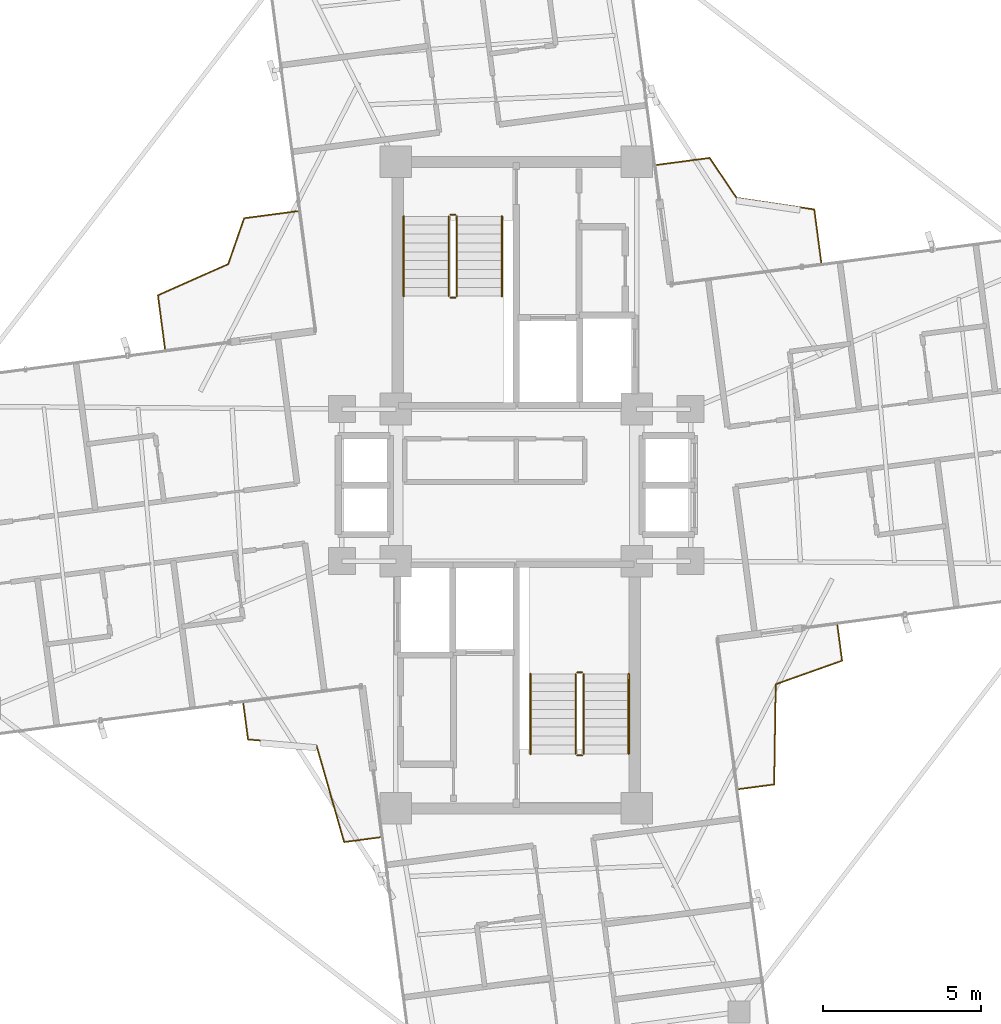
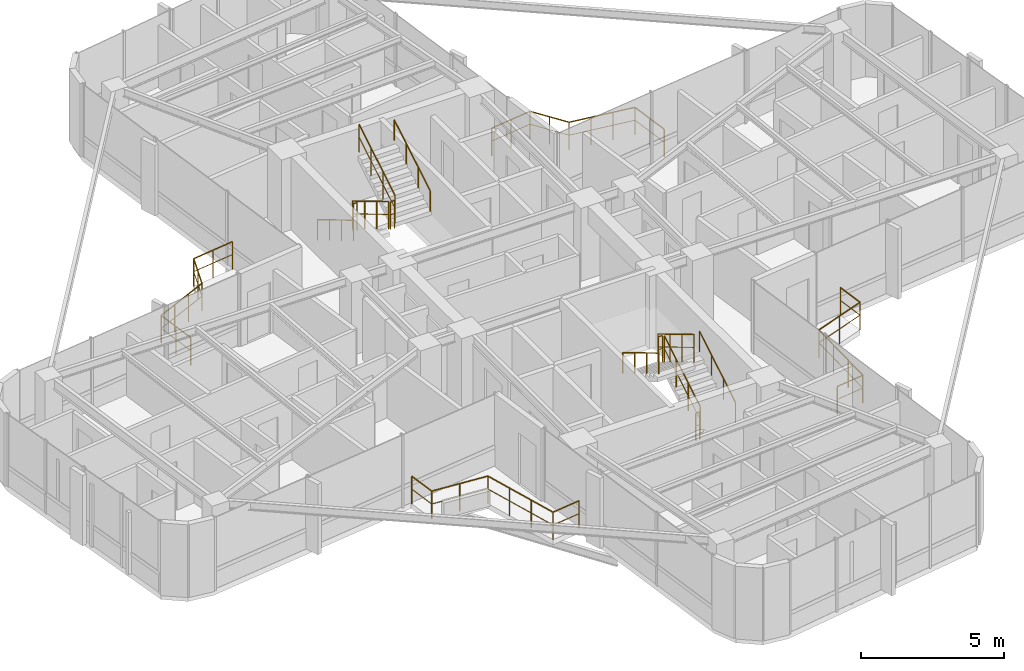
# One storey, part 22 of 22: 16 railings.
"""IFC4 building model written with IfcOpenShell, lengths in metres."""

from ifc_helpers import new_model, si_unit, direction, frame, origin, origin_2d, place, context, subcontext, project, spatial, circle, extrude, material, type_object, element, save


model = new_model("IFC4")

# Units and contexts
model_context = context("Model", 3, precision=1e-05, world=origin(), true_north=direction((0.0, 1.0)))
body_context = subcontext(model_context, "Body", "Model", "MODEL_VIEW")
ifc_project = project(units=[si_unit("LENGTHUNIT", "METRE"), si_unit("AREAUNIT", "SQUARE_METRE"), si_unit("VOLUMEUNIT", "CUBIC_METRE"), si_unit("PLANEANGLEUNIT", "RADIAN"), si_unit("MASSUNIT", "GRAM", prefix="KILO")], contexts=[model_context])

# Site, building, storey
site_placement = place(None, origin())
site = spatial("IfcSite", under=ifc_project, at=site_placement, CompositionType="ELEMENT")
building_placement = place(site_placement, origin())
building = spatial("IfcBuilding", under=site, at=building_placement, Name="Sahyath Konkavel Grand Hotel", CompositionType="ELEMENT")
storey_placement = place(building_placement, frame((0.0, 0.0, 206.5)))
storey = spatial("IfcBuildingStorey", under=building, at=storey_placement, Name="L57", CompositionType="ELEMENT", Elevation=206.5)

# Railings
ifc_material_1 = material(Name="Anodised Bronze Aluminium", Category="aluminium")
railing_type_1 = type_object("IfcRailingType", Name="RLG-BALC-1200", PredefinedType="GUARDRAIL", material=ifc_material_1)
railing_1_placement = place(storey_placement, frame((9.625244140625, 7.0263671875, 0.0)))
element("IfcRailing", 1, at=railing_1_placement, inside=storey, type_object=railing_type_1, Name="L57 Winter-Garden Guard NE", PredefinedType="GUARDRAIL", context=body_context, shape_type="SweptSolid", body=[
    extrude(circle(Radius=0.02392578125, at=origin_2d()), frame((-0.000244140625, 0.001953125, 1.17578125), z_axis=(-0.130495678972, 0.991448878041, 0.0), x_axis=(-0.991448878041, -0.130495678972, 0.0)), (0.0, 0.0, 1.0), 1.68359375),
    extrude(circle(Radius=0.01416015625, at=origin_2d()), frame((-0.000244140625, 0.001953125, 0.6240234375), z_axis=(-0.130495678972, 0.991448878041, 0.0), x_axis=(-0.991448878041, -0.130495678972, 0.0)), (0.0, 0.0, 1.0), 1.68359375),
    extrude(circle(Radius=0.02392578125, at=origin_2d()), frame((-0.22216796875, 1.67333984375, 1.17578125), z_axis=(-0.989225667271, 0.146398699489, 0.0), x_axis=(-0.146398699489, -0.989225667271, 0.0)), (0.0, 0.0, 1.0), 2.47412109375),
    extrude(circle(Radius=0.01416015625, at=origin_2d()), frame((-0.22216796875, 1.67333984375, 0.6240234375), z_axis=(-0.989225667271, 0.146398699489, 0.0), x_axis=(-0.146398699489, -0.989225667271, 0.0)), (0.0, 0.0, 1.0), 2.47412109375),
    extrude(circle(Radius=0.02392578125, at=origin_2d()), frame((-2.6728515625, 2.03759765625, 1.17578125), z_axis=(-0.559205736107, 0.829028916688, 0.0), x_axis=(-0.829028916688, -0.559205736107, 0.0)), (0.0, 0.0, 1.0), 1.518798828125),
    extrude(circle(Radius=0.01416015625, at=origin_2d()), frame((-2.6728515625, 2.03759765625, 0.6240234375), z_axis=(-0.559205736107, 0.829028916688, 0.0), x_axis=(-0.829028916688, -0.559205736107, 0.0)), (0.0, 0.0, 1.0), 1.518798828125),
    extrude(circle(Radius=0.02392578125, at=origin_2d()), frame((-3.525146484375, 3.298095703125, 1.17578125), z_axis=(-0.991448878041, -0.130495678972, 0.0), x_axis=(0.130495678972, -0.991448878041, 0.0)), (0.0, 0.0, 1.0), 1.68359375),
    extrude(circle(Radius=0.01416015625, at=origin_2d()), frame((-3.525146484375, 3.298095703125, 0.6240234375), z_axis=(-0.991448878041, -0.130495678972, 0.0), x_axis=(0.130495678972, -0.991448878041, 0.0)), (0.0, 0.0, 1.0), 1.68359375),
    extrude(circle(Radius=0.02099609375, at=origin_2d()), origin(), (0.0, 0.0, 1.0), 1.15185546875),
    extrude(circle(Radius=0.02099609375, at=origin_2d()), frame((-0.110107421875, 0.83642578125, 0.0)), (0.0, 0.0, 1.0), 1.15185546875),
    extrude(circle(Radius=0.02099609375, at=origin_2d()), frame((-0.22021484375, 1.673095703125, 0.0)), (0.0, 0.0, 1.0), 1.15185546875),
    extrude(circle(Radius=0.02099609375, at=origin_2d()), frame((-1.037353515625, 1.7939453125, 0.0)), (0.0, 0.0, 1.0), 1.15185546875),
    extrude(circle(Radius=0.02099609375, at=origin_2d()), frame((-1.8544921875, 1.9150390625, 0.0)), (0.0, 0.0, 1.0), 1.15185546875),
    extrude(circle(Radius=0.02099609375, at=origin_2d()), frame((-2.671630859375, 2.035888671875, 0.0)), (0.0, 0.0, 1.0), 1.15185546875),
    extrude(circle(Radius=0.02099609375, at=origin_2d()), frame((-3.097412109375, 2.6669921875, 0.0)), (0.0, 0.0, 1.0), 1.15185546875),
    extrude(circle(Radius=0.02099609375, at=origin_2d()), frame((-3.523193359375, 3.29833984375, 0.0)), (0.0, 0.0, 1.0), 1.15185546875),
    extrude(circle(Radius=0.02099609375, at=origin_2d()), frame((-4.35986328125, 3.188232421875, 0.0)), (0.0, 0.0, 1.0), 1.15185546875),
    extrude(circle(Radius=0.02099609375, at=origin_2d()), frame((-5.1962890625, 3.078125, 0.0)), (0.0, 0.0, 1.0), 1.15185546875),
])
railing_2_placement = place(storey_placement, frame((-6.897216796875, 8.644775390625, 0.0)))
element("IfcRailing", 2, at=railing_2_placement, inside=storey, type_object=railing_type_1, Name="L57 Winter-Garden Guard NW", PredefinedType="GUARDRAIL", context=body_context, shape_type="SweptSolid", body=[
    extrude(circle(Radius=0.02392578125, at=origin_2d()), frame((-0.001953125, -0.000244140625, 1.17578125), z_axis=(-0.991434299023, -0.130606396173, 0.0), x_axis=(0.130606396173, -0.991434299023, 0.0)), (0.0, 0.0, 1.0), 1.70068359375),
    extrude(circle(Radius=0.01416015625, at=origin_2d()), frame((-0.001953125, -0.000244140625, 0.6240234375), z_axis=(-0.991434299023, -0.130606396173, 0.0), x_axis=(0.130606396173, -0.991434299023, 0.0)), (0.0, 0.0, 1.0), 1.70068359375),
    extrude(circle(Radius=0.02392578125, at=origin_2d()), frame((-1.69091796875, -0.224609375, 1.17578125), z_axis=(-0.327438901808, -0.944872354121, 0.0), x_axis=(0.944872354121, -0.327438901808, 0.0)), (0.0, 0.0, 1.0), 1.5283203125),
    extrude(circle(Radius=0.01416015625, at=origin_2d()), frame((-1.69091796875, -0.224609375, 0.6240234375), z_axis=(-0.327438901808, -0.944872354121, 0.0), x_axis=(0.944872354121, -0.327438901808, 0.0)), (0.0, 0.0, 1.0), 1.5283203125),
    extrude(circle(Radius=0.02392578125, at=origin_2d()), frame((-2.193603515625, -1.671142578125, 1.17578125), z_axis=(-0.914060259223, -0.405578404885, 0.0), x_axis=(0.405578404885, -0.914060259223, 0.0)), (0.0, 0.0, 1.0), 2.423095703125),
    extrude(circle(Radius=0.01416015625, at=origin_2d()), frame((-2.193603515625, -1.671142578125, 0.6240234375), z_axis=(-0.914060259223, -0.405578404885, 0.0), x_axis=(0.405578404885, -0.914060259223, 0.0)), (0.0, 0.0, 1.0), 2.423095703125),
    extrude(circle(Radius=0.02392578125, at=origin_2d()), frame((-4.41015625, -2.65673828125, 1.17578125), z_axis=(0.130465626317, -0.991452833144, 0.0), x_axis=(0.991452833144, 0.130465626317, 0.0)), (0.0, 0.0, 1.0), 1.70068359375),
    extrude(circle(Radius=0.01416015625, at=origin_2d()), frame((-4.41015625, -2.65673828125, 0.6240234375), z_axis=(0.130465626317, -0.991452833144, 0.0), x_axis=(0.991452833144, 0.130465626317, 0.0)), (0.0, 0.0, 1.0), 1.70068359375),
    extrude(circle(Radius=0.02099609375, at=origin_2d()), origin(), (0.0, 0.0, 1.0), 1.15185546875),
    extrude(circle(Radius=0.02099609375, at=origin_2d()), frame((-0.84521484375, -0.111328125, 0.0)), (0.0, 0.0, 1.0), 1.15185546875),
    extrude(circle(Radius=0.02099609375, at=origin_2d()), frame((-1.690185546875, -0.22265625, 0.0)), (0.0, 0.0, 1.0), 1.15185546875),
    extrude(circle(Radius=0.02099609375, at=origin_2d()), frame((-1.94091796875, -0.946533203125, 0.0)), (0.0, 0.0, 1.0), 1.15185546875),
    extrude(circle(Radius=0.02099609375, at=origin_2d()), frame((-2.19189453125, -1.67041015625, 0.0)), (0.0, 0.0, 1.0), 1.15185546875),
    extrude(circle(Radius=0.02099609375, at=origin_2d()), frame((-2.931396484375, -1.99853515625, 0.0)), (0.0, 0.0, 1.0), 1.15185546875),
    extrude(circle(Radius=0.02099609375, at=origin_2d()), frame((-3.6708984375, -2.32666015625, 0.0)), (0.0, 0.0, 1.0), 1.15185546875),
    extrude(circle(Radius=0.02099609375, at=origin_2d()), frame((-4.410400390625, -2.65478515625, 0.0)), (0.0, 0.0, 1.0), 1.15185546875),
    extrude(circle(Radius=0.02099609375, at=origin_2d()), frame((-4.29931640625, -3.5, 0.0)), (0.0, 0.0, 1.0), 1.15185546875),
    extrude(circle(Radius=0.02099609375, at=origin_2d()), frame((-4.18798828125, -4.344970703125, 0.0)), (0.0, 0.0, 1.0), 1.15185546875),
])
railing_3_placement = place(storey_placement, frame((-8.614013671875, -6.893310546875, 0.0)))
element("IfcRailing", 3, at=railing_3_placement, inside=storey, type_object=railing_type_1, Name="L57 Winter-Garden Guard SW", PredefinedType="GUARDRAIL", context=body_context, shape_type="SweptSolid", body=[
    extrude(circle(Radius=0.02392578125, at=origin_2d()), frame((0.000244140625, -0.001953125, 1.17578125), z_axis=(0.130542796312, -0.991442675262, 0.0), x_axis=(0.991442675262, 0.130542796312, 0.0)), (0.0, 0.0, 1.0), 1.140625),
    extrude(circle(Radius=0.01416015625, at=origin_2d()), frame((0.000244140625, -0.001953125, 0.6240234375), z_axis=(0.130542796312, -0.991442675262, 0.0), x_axis=(0.991442675262, 0.130542796312, 0.0)), (0.0, 0.0, 1.0), 1.140625),
    extrude(circle(Radius=0.02392578125, at=origin_2d()), frame((0.1513671875, -1.135009765625, 1.17578125), z_axis=(0.996224939895, -0.08680938389, 0.0), x_axis=(0.08680938389, 0.996224939895, 0.0)), (0.0, 0.0, 1.0), 2.164306640625),
    extrude(circle(Radius=0.01416015625, at=origin_2d()), frame((0.1513671875, -1.135009765625, 0.6240234375), z_axis=(0.996224939895, -0.08680938389, 0.0), x_axis=(0.08680938389, 0.996224939895, 0.0)), (0.0, 0.0, 1.0), 2.164306640625),
    extrude(circle(Radius=0.02392578125, at=origin_2d()), frame((2.31005859375, -1.324951171875, 1.17578125), z_axis=(0.275503887515, -0.961299957331, 0.0), x_axis=(0.961299957331, 0.275503887515, 0.0)), (0.0, 0.0, 1.0), 3.16748046875),
    extrude(circle(Radius=0.01416015625, at=origin_2d()), frame((2.31005859375, -1.324951171875, 0.6240234375), z_axis=(0.275503887515, -0.961299957331, 0.0), x_axis=(0.961299957331, 0.275503887515, 0.0)), (0.0, 0.0, 1.0), 3.16748046875),
    extrude(circle(Radius=0.02392578125, at=origin_2d()), frame((3.185302734375, -4.37158203125, 1.17578125), z_axis=(0.991442675262, 0.130542796312, 0.0), x_axis=(-0.130542796312, 0.991442675262, 0.0)), (0.0, 0.0, 1.0), 1.140625),
    extrude(circle(Radius=0.01416015625, at=origin_2d()), frame((3.185302734375, -4.37158203125, 0.6240234375), z_axis=(0.991442675262, 0.130542796312, 0.0), x_axis=(-0.130542796312, 0.991442675262, 0.0)), (0.0, 0.0, 1.0), 1.140625),
    extrude(circle(Radius=0.02099609375, at=origin_2d()), origin(), (0.0, 0.0, 1.0), 1.15185546875),
    extrude(circle(Radius=0.02099609375, at=origin_2d()), frame((0.1494140625, -1.134765625, 0.0)), (0.0, 0.0, 1.0), 1.15185546875),
    extrude(circle(Radius=0.02099609375, at=origin_2d()), frame((1.2294921875, -1.22900390625, 0.0)), (0.0, 0.0, 1.0), 1.15185546875),
    extrude(circle(Radius=0.02099609375, at=origin_2d()), frame((2.3095703125, -1.322998046875, 0.0)), (0.0, 0.0, 1.0), 1.15185546875),
    extrude(circle(Radius=0.02099609375, at=origin_2d()), frame((2.600830078125, -2.33935546875, 0.0)), (0.0, 0.0, 1.0), 1.15185546875),
    extrude(circle(Radius=0.02099609375, at=origin_2d()), frame((2.89208984375, -3.35546875, 0.0)), (0.0, 0.0, 1.0), 1.15185546875),
    extrude(circle(Radius=0.02099609375, at=origin_2d()), frame((3.183349609375, -4.371826171875, 0.0)), (0.0, 0.0, 1.0), 1.15185546875),
    extrude(circle(Radius=0.02099609375, at=origin_2d()), frame((4.318115234375, -4.222412109375, 0.0)), (0.0, 0.0, 1.0), 1.15185546875),
])
railing_4_placement = place(storey_placement, frame((7.0224609375, -9.594482421875, 0.0)))
element("IfcRailing", 4, at=railing_4_placement, inside=storey, type_object=railing_type_1, Name="L57 Winter-Garden Guard SE", PredefinedType="GUARDRAIL", context=body_context, shape_type="SweptSolid", body=[
    extrude(circle(Radius=0.02392578125, at=origin_2d()), frame((0.001953125, 0.000244140625, 1.17578125), z_axis=(0.991432901196, 0.130617006647, 0.0), x_axis=(-0.130617006647, 0.991432901196, 0.0)), (0.0, 0.0, 1.0), 1.123046875),
    extrude(circle(Radius=0.01416015625, at=origin_2d()), frame((0.001953125, 0.000244140625, 0.6240234375), z_axis=(0.991432901196, 0.130617006647, 0.0), x_axis=(-0.130617006647, 0.991432901196, 0.0)), (0.0, 0.0, 1.0), 1.123046875),
    extrude(circle(Radius=0.02392578125, at=origin_2d()), frame((1.117431640625, 0.149169921875, 1.17578125), z_axis=(0.015586931649, 0.999878516402, 0.0), x_axis=(-0.999878516402, 0.015586931649, 0.0)), (0.0, 0.0, 1.0), 3.159912109375),
    extrude(circle(Radius=0.01416015625, at=origin_2d()), frame((1.117431640625, 0.149169921875, 0.6240234375), z_axis=(0.015586931649, 0.999878516402, 0.0), x_axis=(-0.999878516402, 0.015586931649, 0.0)), (0.0, 0.0, 1.0), 3.159912109375),
    extrude(circle(Radius=0.02392578125, at=origin_2d()), frame((1.168701171875, 3.3115234375, 1.17578125), z_axis=(0.942648847089, 0.333786085813, 0.0), x_axis=(-0.333786085813, 0.942648847089, 0.0)), (0.0, 0.0, 1.0), 2.216552734375),
    extrude(circle(Radius=0.01416015625, at=origin_2d()), frame((1.168701171875, 3.3115234375, 0.6240234375), z_axis=(0.942648847089, 0.333786085813, 0.0), x_axis=(-0.333786085813, 0.942648847089, 0.0)), (0.0, 0.0, 1.0), 2.216552734375),
    extrude(circle(Radius=0.02392578125, at=origin_2d()), frame((3.259765625, 4.053955078125, 1.17578125), z_axis=(-0.130588961803, 0.99143659558, 0.0), x_axis=(-0.99143659558, -0.130588961803, 0.0)), (0.0, 0.0, 1.0), 1.123291015625),
    extrude(circle(Radius=0.01416015625, at=origin_2d()), frame((3.259765625, 4.053955078125, 0.6240234375), z_axis=(-0.130588961803, 0.99143659558, 0.0), x_axis=(-0.99143659558, -0.130588961803, 0.0)), (0.0, 0.0, 1.0), 1.123291015625),
    extrude(circle(Radius=0.02099609375, at=origin_2d()), origin(), (0.0, 0.0, 1.0), 1.15185546875),
    extrude(circle(Radius=0.02099609375, at=origin_2d()), frame((1.117431640625, 0.147216796875, 0.0)), (0.0, 0.0, 1.0), 1.15185546875),
    extrude(circle(Radius=0.02099609375, at=origin_2d()), frame((1.1337890625, 1.20166015625, 0.0)), (0.0, 0.0, 1.0), 1.15185546875),
    extrude(circle(Radius=0.02099609375, at=origin_2d()), frame((1.150390625, 2.25634765625, 0.0)), (0.0, 0.0, 1.0), 1.15185546875),
    extrude(circle(Radius=0.02099609375, at=origin_2d()), frame((1.166748046875, 3.310791015625, 0.0)), (0.0, 0.0, 1.0), 1.15185546875),
    extrude(circle(Radius=0.02099609375, at=origin_2d()), frame((2.21337890625, 3.681396484375, 0.0)), (0.0, 0.0, 1.0), 1.15185546875),
    extrude(circle(Radius=0.02099609375, at=origin_2d()), frame((3.260009765625, 4.052001953125, 0.0)), (0.0, 0.0, 1.0), 1.15185546875),
    extrude(circle(Radius=0.02099609375, at=origin_2d()), frame((3.11279296875, 5.169677734375, 0.0)), (0.0, 0.0, 1.0), 1.15185546875),
])
ifc_material_2 = material(Name="Steel E350", Category="steel")
railing_type_2 = type_object("IfcRailingType", Name="RLG-STAIR-GRD", PredefinedType="GUARDRAIL", material=ifc_material_2)
railing_5_placement = place(storey_placement, frame((-2.1298828125, 8.47998046875, 0.16748046875)))
element("IfcRailing", 5, at=railing_5_placement, inside=storey, type_object=railing_type_2, Name="L57 ST-1 stair guard 1", PredefinedType="GUARDRAIL", context=body_context, shape_type="SweptSolid", body=[
    extrude(circle(Radius=0.02392578125, at=origin_2d()), frame((0.0, -0.001708984375, 1.177001953125), z_axis=(0.0, -0.858159760407, 0.513382728203), x_axis=(1.0, 0.0, 0.0)), (0.0, 0.0, 1.0), 2.9326171875),
    extrude(circle(Radius=0.01416015625, at=origin_2d()), frame((0.0, -0.001708984375, 0.625), z_axis=(0.0, -0.858159760407, 0.513382728203), x_axis=(1.0, 0.0, 0.0)), (0.0, 0.0, 1.0), 2.9326171875),
    extrude(circle(Radius=0.02099609375, at=origin_2d()), origin(), (0.0, 0.0, 1.0), 1.15185546875),
    extrude(circle(Radius=0.02099609375, at=origin_2d()), frame((0.0, -0.840087890625, 0.50244140625)), (0.0, 0.0, 1.0), 1.15185546875),
    extrude(circle(Radius=0.02099609375, at=origin_2d()), frame((0.0, -1.679931640625, 1.005126953125)), (0.0, 0.0, 1.0), 1.15185546875),
    extrude(circle(Radius=0.02099609375, at=origin_2d()), frame((0.0, -2.52001953125, 1.507568359375)), (0.0, 0.0, 1.0), 1.15185546875),
])
railing_6_placement = place(storey_placement, frame((-2.080078125, 5.909912109375, 1.675048828125)))
element("IfcRailing", 6, at=railing_6_placement, inside=storey, type_object=railing_type_2, Name="L57 ST-1 stair guard 2", PredefinedType="GUARDRAIL", context=body_context, shape_type="SweptSolid", body=[
    extrude(circle(Radius=0.02392578125, at=origin_2d()), frame((0.001953125, 0.0, 1.17578125), z_axis=(1.0, 0.0, 0.0), x_axis=(0.0, 1.0, 0.0)), (0.0, 0.0, 1.0), 0.15625),
    extrude(circle(Radius=0.01416015625, at=origin_2d()), frame((0.001953125, 0.0, 0.6240234375), z_axis=(1.0, 0.0, 0.0), x_axis=(0.0, 1.0, 0.0)), (0.0, 0.0, 1.0), 0.15625),
    extrude(circle(Radius=0.02099609375, at=origin_2d()), origin(), (0.0, 0.0, 1.0), 1.15185546875),
    extrude(circle(Radius=0.02099609375, at=origin_2d()), frame((0.16015625, 0.0, 0.0)), (0.0, 0.0, 1.0), 1.15185546875),
])
railing_7_placement = place(storey_placement, frame((-1.8701171875, 5.9599609375, 1.842529296875)))
element("IfcRailing", 7, at=railing_7_placement, inside=storey, type_object=railing_type_2, Name="L57 ST-1 stair guard 3", PredefinedType="GUARDRAIL", context=body_context, shape_type="SweptSolid", body=[
    extrude(circle(Radius=0.02392578125, at=origin_2d()), frame((0.0, 0.001708984375, 1.177001953125), z_axis=(0.0, 0.858159760407, 0.513382728203), x_axis=(-1.0, 0.0, 0.0)), (0.0, 0.0, 1.0), 2.9326171875),
    extrude(circle(Radius=0.01416015625, at=origin_2d()), frame((0.0, 0.001708984375, 0.625), z_axis=(0.0, 0.858159760407, 0.513382728203), x_axis=(-1.0, 0.0, 0.0)), (0.0, 0.0, 1.0), 2.9326171875),
    extrude(circle(Radius=0.02099609375, at=origin_2d()), origin(), (0.0, 0.0, 1.0), 1.15185546875),
    extrude(circle(Radius=0.02099609375, at=origin_2d()), frame((0.0, 0.840087890625, 0.50244140625)), (0.0, 0.0, 1.0), 1.15185546875),
    extrude(circle(Radius=0.02099609375, at=origin_2d()), frame((0.0, 1.679931640625, 1.005126953125)), (0.0, 0.0, 1.0), 1.15185546875),
    extrude(circle(Radius=0.02099609375, at=origin_2d()), frame((0.0, 2.52001953125, 1.507568359375)), (0.0, 0.0, 1.0), 1.15185546875),
])
railing_8_placement = place(storey_placement, frame((-2.080078125, 8.530029296875, 0.0)))
element("IfcRailing", 8, at=railing_8_placement, inside=storey, type_object=railing_type_2, Name="L57 ST-1 stair guard 4", PredefinedType="GUARDRAIL", context=body_context, shape_type="SweptSolid", body=[
    extrude(circle(Radius=0.02392578125, at=origin_2d()), frame((0.001953125, 0.0, 1.17578125), z_axis=(1.0, 0.0, 0.0), x_axis=(0.0, 1.0, 0.0)), (0.0, 0.0, 1.0), 0.15625),
    extrude(circle(Radius=0.01416015625, at=origin_2d()), frame((0.001953125, 0.0, 0.6240234375), z_axis=(1.0, 0.0, 0.0), x_axis=(0.0, 1.0, 0.0)), (0.0, 0.0, 1.0), 0.15625),
    extrude(circle(Radius=0.02099609375, at=origin_2d()), origin(), (0.0, 0.0, 1.0), 1.15185546875),
    extrude(circle(Radius=0.02099609375, at=origin_2d()), frame((0.16015625, 0.0, 0.0)), (0.0, 0.0, 1.0), 1.15185546875),
])
railing_9_placement = place(storey_placement, frame((2.1298828125, -8.47998046875, 0.16748046875)))
element("IfcRailing", 9, at=railing_9_placement, inside=storey, type_object=railing_type_2, Name="L57 ST-2 stair guard 1", PredefinedType="GUARDRAIL", context=body_context, shape_type="SweptSolid", body=[
    extrude(circle(Radius=0.02392578125, at=origin_2d()), frame((0.0, 0.001708984375, 1.177001953125), z_axis=(0.0, 0.858159760407, 0.513382728203), x_axis=(-1.0, 0.0, 0.0)), (0.0, 0.0, 1.0), 2.9326171875),
    extrude(circle(Radius=0.01416015625, at=origin_2d()), frame((0.0, 0.001708984375, 0.625), z_axis=(0.0, 0.858159760407, 0.513382728203), x_axis=(-1.0, 0.0, 0.0)), (0.0, 0.0, 1.0), 2.9326171875),
    extrude(circle(Radius=0.02099609375, at=origin_2d()), origin(), (0.0, 0.0, 1.0), 1.15185546875),
    extrude(circle(Radius=0.02099609375, at=origin_2d()), frame((0.0, 0.840087890625, 0.50244140625)), (0.0, 0.0, 1.0), 1.15185546875),
    extrude(circle(Radius=0.02099609375, at=origin_2d()), frame((0.0, 1.679931640625, 1.005126953125)), (0.0, 0.0, 1.0), 1.15185546875),
    extrude(circle(Radius=0.02099609375, at=origin_2d()), frame((0.0, 2.52001953125, 1.507568359375)), (0.0, 0.0, 1.0), 1.15185546875),
])
railing_10_placement = place(storey_placement, frame((2.080078125, -5.909912109375, 1.675048828125)))
element("IfcRailing", 10, at=railing_10_placement, inside=storey, type_object=railing_type_2, Name="L57 ST-2 stair guard 2", PredefinedType="GUARDRAIL", context=body_context, shape_type="SweptSolid", body=[
    extrude(circle(Radius=0.02392578125, at=origin_2d()), frame((-0.001953125, 0.0, 1.17578125), z_axis=(-1.0, 0.0, 0.0), x_axis=(0.0, -1.0, 0.0)), (0.0, 0.0, 1.0), 0.15625),
    extrude(circle(Radius=0.01416015625, at=origin_2d()), frame((-0.001953125, 0.0, 0.6240234375), z_axis=(-1.0, 0.0, 0.0), x_axis=(0.0, -1.0, 0.0)), (0.0, 0.0, 1.0), 0.15625),
    extrude(circle(Radius=0.02099609375, at=origin_2d()), origin(), (0.0, 0.0, 1.0), 1.15185546875),
    extrude(circle(Radius=0.02099609375, at=origin_2d()), frame((-0.16015625, 0.0, 0.0)), (0.0, 0.0, 1.0), 1.15185546875),
])
railing_11_placement = place(storey_placement, frame((1.8701171875, -5.9599609375, 1.842529296875)))
element("IfcRailing", 11, at=railing_11_placement, inside=storey, type_object=railing_type_2, Name="L57 ST-2 stair guard 3", PredefinedType="GUARDRAIL", context=body_context, shape_type="SweptSolid", body=[
    extrude(circle(Radius=0.02392578125, at=origin_2d()), frame((0.0, -0.001708984375, 1.177001953125), z_axis=(0.0, -0.858159760407, 0.513382728203), x_axis=(1.0, 0.0, 0.0)), (0.0, 0.0, 1.0), 2.9326171875),
    extrude(circle(Radius=0.01416015625, at=origin_2d()), frame((0.0, -0.001708984375, 0.625), z_axis=(0.0, -0.858159760407, 0.513382728203), x_axis=(1.0, 0.0, 0.0)), (0.0, 0.0, 1.0), 2.9326171875),
    extrude(circle(Radius=0.02099609375, at=origin_2d()), origin(), (0.0, 0.0, 1.0), 1.15185546875),
    extrude(circle(Radius=0.02099609375, at=origin_2d()), frame((0.0, -0.840087890625, 0.50244140625)), (0.0, 0.0, 1.0), 1.15185546875),
    extrude(circle(Radius=0.02099609375, at=origin_2d()), frame((0.0, -1.679931640625, 1.005126953125)), (0.0, 0.0, 1.0), 1.15185546875),
    extrude(circle(Radius=0.02099609375, at=origin_2d()), frame((0.0, -2.52001953125, 1.507568359375)), (0.0, 0.0, 1.0), 1.15185546875),
])
railing_12_placement = place(storey_placement, frame((2.080078125, -8.530029296875, 0.0)))
element("IfcRailing", 12, at=railing_12_placement, inside=storey, type_object=railing_type_2, Name="L57 ST-2 stair guard 4", PredefinedType="GUARDRAIL", context=body_context, shape_type="SweptSolid", body=[
    extrude(circle(Radius=0.02392578125, at=origin_2d()), frame((-0.001953125, 0.0, 1.17578125), z_axis=(-1.0, 0.0, 0.0), x_axis=(0.0, -1.0, 0.0)), (0.0, 0.0, 1.0), 0.15625),
    extrude(circle(Radius=0.01416015625, at=origin_2d()), frame((-0.001953125, 0.0, 0.6240234375), z_axis=(-1.0, 0.0, 0.0), x_axis=(0.0, -1.0, 0.0)), (0.0, 0.0, 1.0), 0.15625),
    extrude(circle(Radius=0.02099609375, at=origin_2d()), origin(), (0.0, 0.0, 1.0), 1.15185546875),
    extrude(circle(Radius=0.02099609375, at=origin_2d()), frame((-0.16015625, 0.0, 0.0)), (0.0, 0.0, 1.0), 1.15185546875),
])
railing_type_3 = type_object("IfcRailingType", Name="RLG-STAIR-HND", PredefinedType="HANDRAIL", material=ifc_material_1)
railing_13_placement = place(storey_placement, frame((-3.550048828125, 8.47998046875, 0.16748046875)))
element("IfcRailing", 13, at=railing_13_placement, inside=storey, type_object=railing_type_3, Name="L57 ST-1 stair handrail 1", PredefinedType="HANDRAIL", context=body_context, shape_type="SweptSolid", body=[
    extrude(circle(Radius=0.02392578125, at=origin_2d()), frame((0.0, -0.001708984375, 0.876953125), z_axis=(0.0, -0.858159760407, 0.513382728203), x_axis=(1.0, 0.0, 0.0)), (0.0, 0.0, 1.0), 2.9326171875),
    extrude(circle(Radius=0.02099609375, at=origin_2d()), origin(), (0.0, 0.0, 1.0), 0.851806640625),
    extrude(circle(Radius=0.02099609375, at=origin_2d()), frame((0.0, -0.840087890625, 0.50244140625)), (0.0, 0.0, 1.0), 0.851806640625),
    extrude(circle(Radius=0.02099609375, at=origin_2d()), frame((0.0, -1.679931640625, 1.005126953125)), (0.0, 0.0, 1.0), 0.851806640625),
    extrude(circle(Radius=0.02099609375, at=origin_2d()), frame((0.0, -2.52001953125, 1.507568359375)), (0.0, 0.0, 1.0), 0.851806640625),
])
for number, where, name in (
    (14, (-0.449951171875, 5.9599609375, 1.842529296875), "L57 ST-1 stair handrail 2"),
    (15, (3.550048828125, -8.47998046875, 0.16748046875), "L57 ST-2 stair handrail 1"),
):
    element("IfcRailing", number, at=place(storey_placement, frame(where)), inside=storey, type_object=railing_type_3, Name=name, PredefinedType="HANDRAIL", context=body_context, shape_type="SweptSolid", body=[
        extrude(circle(Radius=0.02392578125, at=origin_2d()), frame((0.0, 0.001708984375, 0.876953125), z_axis=(0.0, 0.858159760407, 0.513382728203), x_axis=(-1.0, 0.0, 0.0)), (0.0, 0.0, 1.0), 2.9326171875),
        extrude(circle(Radius=0.02099609375, at=origin_2d()), origin(), (0.0, 0.0, 1.0), 0.851806640625),
        extrude(circle(Radius=0.02099609375, at=origin_2d()), frame((0.0, 0.840087890625, 0.50244140625)), (0.0, 0.0, 1.0), 0.851806640625),
        extrude(circle(Radius=0.02099609375, at=origin_2d()), frame((0.0, 1.679931640625, 1.005126953125)), (0.0, 0.0, 1.0), 0.851806640625),
        extrude(circle(Radius=0.02099609375, at=origin_2d()), frame((0.0, 2.52001953125, 1.507568359375)), (0.0, 0.0, 1.0), 0.851806640625),
    ])
railing_14_placement = place(storey_placement, frame((0.449951171875, -5.9599609375, 1.842529296875)))
element("IfcRailing", 16, at=railing_14_placement, inside=storey, type_object=railing_type_3, Name="L57 ST-2 stair handrail 2", PredefinedType="HANDRAIL", context=body_context, shape_type="SweptSolid", body=[
    extrude(circle(Radius=0.02392578125, at=origin_2d()), frame((0.0, -0.001708984375, 0.876953125), z_axis=(0.0, -0.858159760407, 0.513382728203), x_axis=(1.0, 0.0, 0.0)), (0.0, 0.0, 1.0), 2.9326171875),
    extrude(circle(Radius=0.02099609375, at=origin_2d()), origin(), (0.0, 0.0, 1.0), 0.851806640625),
    extrude(circle(Radius=0.02099609375, at=origin_2d()), frame((0.0, -0.840087890625, 0.50244140625)), (0.0, 0.0, 1.0), 0.851806640625),
    extrude(circle(Radius=0.02099609375, at=origin_2d()), frame((0.0, -1.679931640625, 1.005126953125)), (0.0, 0.0, 1.0), 0.851806640625),
    extrude(circle(Radius=0.02099609375, at=origin_2d()), frame((0.0, -2.52001953125, 1.507568359375)), (0.0, 0.0, 1.0), 0.851806640625),
])

save(model, "model.ifc")
